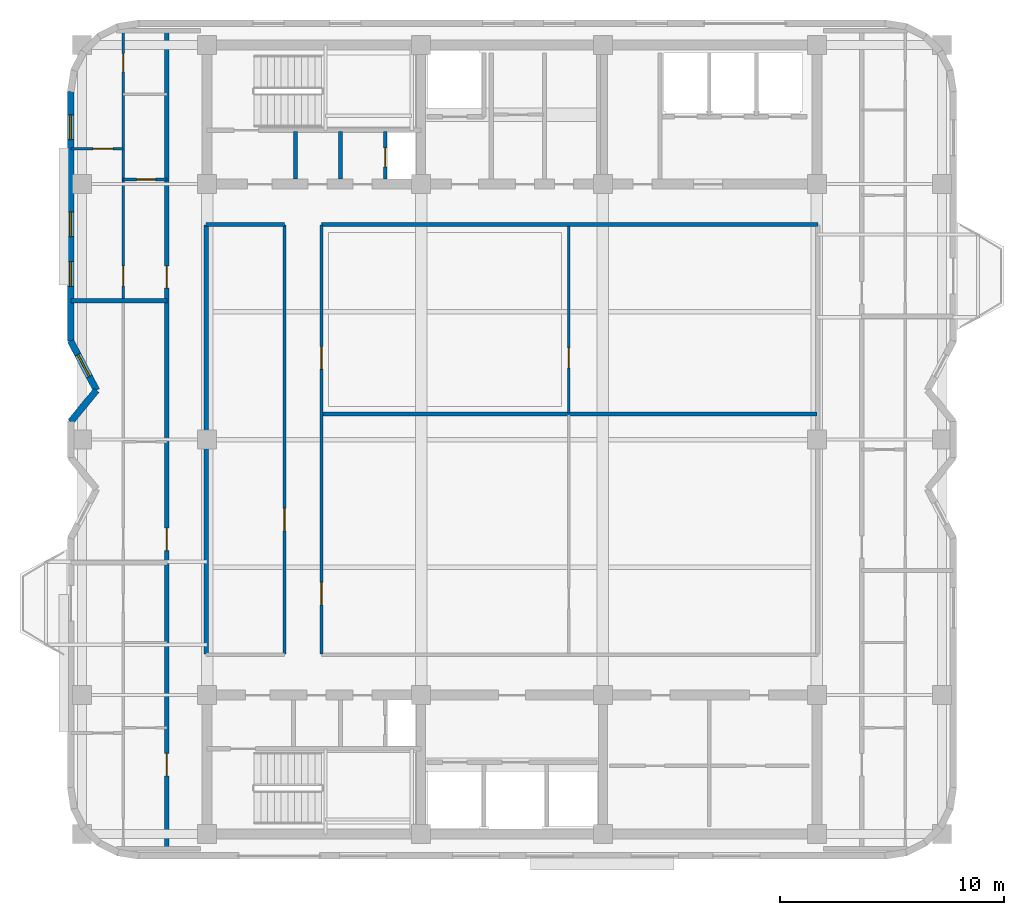
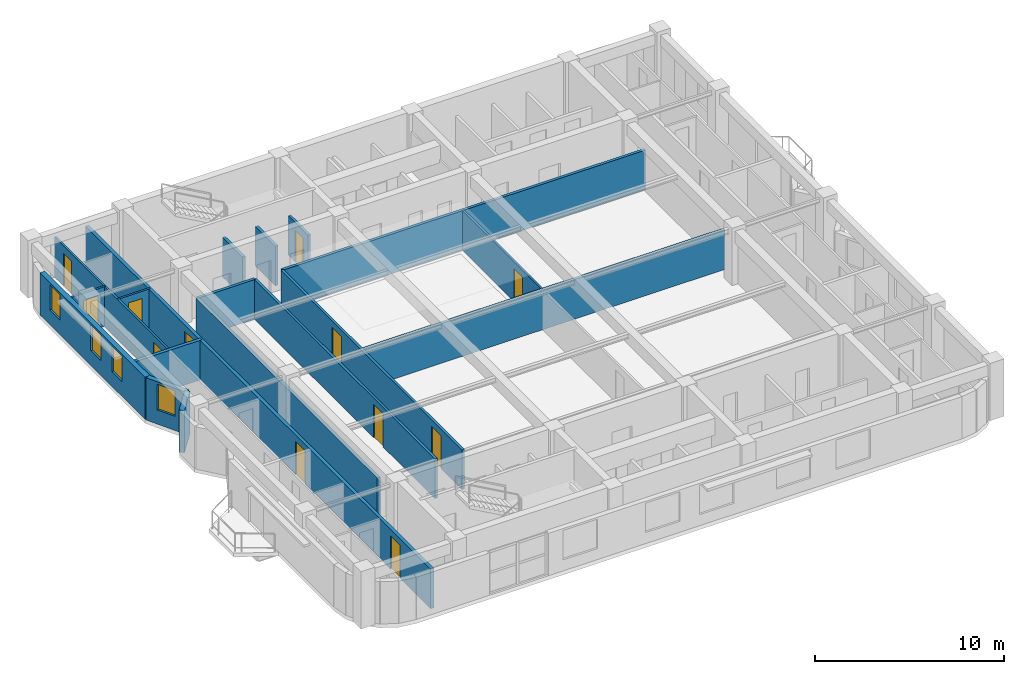
# One storey, part 7 of 12: 18 walls, 12 doors, 4 windows, 16 openings.
"""IFC4 building model written with IfcOpenShell, lengths in metres."""

from ifc_helpers import new_model, si_unit, direction, frame, frame_2d, origin, place, context, subcontext, project, spatial, rectangle, extrude, material, layer, layer_set, type_object, element, fill, save


model = new_model("IFC4")

# Units and contexts
model_context = context("Model", 3, precision=1e-05, world=origin(), true_north=direction((0.0, 1.0)))
body_context = subcontext(model_context, "Body", "Model", "MODEL_VIEW")
ifc_project = project(units=[si_unit("LENGTHUNIT", "METRE"), si_unit("AREAUNIT", "SQUARE_METRE"), si_unit("VOLUMEUNIT", "CUBIC_METRE"), si_unit("PLANEANGLEUNIT", "RADIAN"), si_unit("MASSUNIT", "GRAM", prefix="KILO")], contexts=[model_context])

# Site, building, storey
site_placement = place(None, origin())
site = spatial("IfcSite", under=ifc_project, at=site_placement, CompositionType="ELEMENT")
building_placement = place(site_placement, origin())
building = spatial("IfcBuilding", under=site, at=building_placement, Name="Svetorya Sky Lyceum", CompositionType="ELEMENT")
storey_placement = place(building_placement, frame((0.0, 0.0, 236.89990234375)))
storey = spatial("IfcBuildingStorey", under=building, at=storey_placement, Name="L59", CompositionType="ELEMENT", Elevation=236.89990234375)

# Wall, openings, windows
ifc_material_1 = material(Name="Putilovo limestone rainscreen on autoclaved cellular masonry", Category="masonry")
ifc_layer_1 = layer(ifc_material_1, 0.300048828125)
ifc_layer_set_1 = layer_set([ifc_layer_1], Name="Putilovo limestone rainscreen on autoclaved cellular masonry")
wall_type_1 = type_object("IfcWallType", Name="WL-EXT-300", PredefinedType="SOLIDWALL", material=ifc_layer_set_1)
wall_1_placement = place(storey_placement, frame((19.510009765625, 43.719970703125, 0.0), z_axis=(0.0, 0.0, 1.0), x_axis=(0.0, -1.0, 0.0)))
wall_1 = element("IfcWall", 1, at=wall_1_placement, inside=storey, type_object=wall_type_1, Name="L59 Limestone Exterior Wall 30M", PredefinedType="SOLIDWALL", context=body_context, shape_type="SweptSolid", body=[
    extrude(rectangle(XDim=11.119873046875, YDim=0.300048828125, at=frame_2d((5.56005859375, 0.0))), origin(), (0.0, 0.0, 1.0), 2.72998046875),
])
opening_1_placement = place(wall_1_placement, frame((1.03662109375, 0.0, 0.949951171875)))
opening_1 = element("IfcOpeningElement", 2, at=opening_1_placement, cuts=wall_1, Name="Opening W-R3", PredefinedType="OPENING", context=body_context, shape_type="SweptSolid", body=[
    extrude(rectangle(XDim=1.10009765625, YDim=1.64990234375, at=frame_2d((0.550048828125, 0.824951171875))), frame((0.0, 0.159912109375, 0.0), z_axis=(0.0, -1.0, 0.0), x_axis=(1.0, 0.0, 0.0)), (0.0, 0.0, 1.0), 0.320068359375),
])
opening_2_placement = place(wall_1_placement, frame((5.360107421875, 0.0, 0.949951171875)))
opening_2 = element("IfcOpeningElement", 3, at=opening_2_placement, cuts=wall_1, Name="Opening W-R3", PredefinedType="OPENING", context=body_context, shape_type="SweptSolid", body=[
    extrude(rectangle(XDim=1.10009765625, YDim=1.64990234375, at=frame_2d((0.550048828125, 0.824951171875))), frame((0.0, 0.159912109375, 0.0), z_axis=(0.0, -1.0, 0.0), x_axis=(1.0, 0.0, 0.0)), (0.0, 0.0, 1.0), 0.320068359375),
])
opening_3_placement = place(wall_1_placement, frame((7.583251953125, 0.0, 0.949951171875)))
opening_3 = element("IfcOpeningElement", 4, at=opening_3_placement, cuts=wall_1, Name="Opening W-R3", PredefinedType="OPENING", context=body_context, shape_type="SweptSolid", body=[
    extrude(rectangle(XDim=1.10009765625, YDim=1.64990234375, at=frame_2d((0.550048828125, 0.824951171875))), frame((0.0, 0.159912109375, 0.0), z_axis=(0.0, -1.0, 0.0), x_axis=(1.0, 0.0, 0.0)), (0.0, 0.0, 1.0), 0.320068359375),
])
ifc_material_2 = material(Name="Thermally broken aluminium frame with triple low-E glazing", Category="aluminium")
window_type = type_object("IfcWindowType", Name="WN-RES-110", PartitioningType="SINGLE_PANEL", PredefinedType="WINDOW", material=ifc_material_2)
window_1_placement = place(opening_1_placement, origin())
window_1 = element("IfcWindow", 5, at=window_1_placement, inside=storey, type_object=window_type, Name="L59 Facade Window W-R3.30M.1", OverallHeight=1.64990234375, OverallWidth=1.10009765625, PartitioningType="SINGLE_PANEL", PredefinedType="WINDOW", context=body_context, shape_type="SweptSolid", body=[
    extrude(rectangle(XDim=1.10009765625, YDim=1.64990234375, at=frame_2d((0.550048828125, 0.824951171875))), frame((0.0, 0.030029296875, 0.0), z_axis=(0.0, -1.0, 0.0), x_axis=(1.0, 0.0, 0.0)), (0.0, 0.0, 1.0), 0.06005859375),
])
fill(opening_1, window_1)
window_2_placement = place(opening_2_placement, origin())
window_2 = element("IfcWindow", 6, at=window_2_placement, inside=storey, type_object=window_type, Name="L59 Facade Window W-R3.30M.2", OverallHeight=1.64990234375, OverallWidth=1.10009765625, PartitioningType="SINGLE_PANEL", PredefinedType="WINDOW", context=body_context, shape_type="SweptSolid", body=[
    extrude(rectangle(XDim=1.10009765625, YDim=1.64990234375, at=frame_2d((0.550048828125, 0.824951171875))), frame((0.0, 0.030029296875, 0.0), z_axis=(0.0, -1.0, 0.0), x_axis=(1.0, 0.0, 0.0)), (0.0, 0.0, 1.0), 0.06005859375),
])
fill(opening_2, window_2)
window_3_placement = place(opening_3_placement, origin())
window_3 = element("IfcWindow", 7, at=window_3_placement, inside=storey, type_object=window_type, Name="L59 Facade Window W-R3.30M.3", OverallHeight=1.64990234375, OverallWidth=1.10009765625, PartitioningType="SINGLE_PANEL", PredefinedType="WINDOW", context=body_context, shape_type="SweptSolid", body=[
    extrude(rectangle(XDim=1.10009765625, YDim=1.64990234375, at=frame_2d((0.550048828125, 0.824951171875))), frame((0.0, 0.030029296875, 0.0), z_axis=(0.0, -1.0, 0.0), x_axis=(1.0, 0.0, 0.0)), (0.0, 0.0, 1.0), 0.06005859375),
])
fill(opening_3, window_3)

# Wall, opening, window
wall_2_placement = place(storey_placement, frame((19.510009765625, 32.60009765625, 0.0), z_axis=(0.0, 0.0, 1.0), x_axis=(0.463191013929, -0.88625847506, 0.0)))
wall_2 = element("IfcWall", 8, at=wall_2_placement, inside=storey, type_object=wall_type_1, Name="L59 Limestone Exterior Wall 31M", PredefinedType="SOLIDWALL", context=body_context, shape_type="SweptSolid", body=[
    extrude(rectangle(XDim=2.482666015625, YDim=0.300048828125, at=frame_2d((1.2412109375, 0.0))), origin(), (0.0, 0.0, 1.0), 2.72998046875),
])
opening_4_placement = place(wall_2_placement, frame((0.691162109375, 0.0, 0.919921875)))
opening_4 = element("IfcOpeningElement", 9, at=opening_4_placement, cuts=wall_2, Name="Opening W-R3", PredefinedType="OPENING", context=body_context, shape_type="SweptSolid", body=[
    extrude(rectangle(XDim=1.10009765625, YDim=1.64990234375, at=frame_2d((0.550048828125, 0.824951171875))), frame((0.0, 0.159912109375, 0.0), z_axis=(0.0, -1.0, 0.0), x_axis=(1.0, 0.0, 0.0)), (0.0, 0.0, 1.0), 0.320068359375),
])
window_4_placement = place(opening_4_placement, origin())
window_4 = element("IfcWindow", 10, at=window_4_placement, inside=storey, type_object=window_type, Name="L59 Facade Window W-R3.31M.1", OverallHeight=1.64990234375, OverallWidth=1.10009765625, PartitioningType="SINGLE_PANEL", PredefinedType="WINDOW", context=body_context, shape_type="SweptSolid", body=[
    extrude(rectangle(XDim=1.10009765625, YDim=1.64990234375, at=frame_2d((0.550048828125, 0.824951171875))), frame((0.0, 0.030029296875, 0.0), z_axis=(0.0, -1.0, 0.0), x_axis=(1.0, 0.0, 0.0)), (0.0, 0.0, 1.0), 0.06005859375),
])
fill(opening_4, window_4)

# Wall
wall_3_placement = place(storey_placement, frame((20.659912109375, 30.39990234375, 0.0), z_axis=(0.0, 0.0, 1.0), x_axis=(-0.634733675645, -0.772730975827, 0.0)))
element("IfcWall", 11, at=wall_3_placement, inside=storey, type_object=wall_type_1, Name="L59 Limestone Exterior Wall 32M", PredefinedType="SOLIDWALL", context=body_context, shape_type="SweptSolid", body=[
    extrude(rectangle(XDim=1.8115234375, YDim=0.300048828125, at=frame_2d((0.90576171875, 0.0))), origin(), (0.0, 0.0, 1.0), 2.72998046875),
])

# Wall, opening, door
ifc_material_3 = material(Name="Twin-stud galvanized framing with double fireboard", Category="gypsum")
ifc_layer_2 = layer(ifc_material_3, 0.1201171875)
ifc_layer_set_2 = layer_set([ifc_layer_2], Name="Twin-stud galvanized framing with double fireboard")
wall_type_2 = type_object("IfcWallType", Name="WL-PART-120", PredefinedType="PARTITIONING", material=ifc_layer_set_2)
wall_4_placement = place(storey_placement, frame((41.735107421875, 29.388427734375, 0.0), z_axis=(0.0, 0.0, 1.0), x_axis=(0.0, 1.0, 0.0)))
wall_4 = element("IfcWall", 12, at=wall_4_placement, inside=storey, type_object=wall_type_2, Name="L59 Interior Partition OFF-VEM2", PredefinedType="PARTITIONING", context=body_context, shape_type="SweptSolid", body=[
    extrude(rectangle(XDim=8.3515625, YDim=0.1201171875, at=frame_2d((4.17578125, 0.0))), origin(), (0.0, 0.0, 1.0), 2.56005859375),
])
opening_5_placement = place(wall_4_placement, frame((2.0, 0.0, 0.0)))
opening_5 = element("IfcOpeningElement", 13, at=opening_5_placement, cuts=wall_4, Name="Opening D-RM1", PredefinedType="OPENING", context=body_context, shape_type="SweptSolid", body=[
    extrude(rectangle(XDim=0.89990234375, YDim=2.10009765625, at=frame_2d((0.449951171875, 1.050048828125))), frame((0.0, 0.070068359375, 0.0), z_axis=(0.0, -1.0, 0.0), x_axis=(1.0, 0.0, 0.0)), (0.0, 0.0, 1.0), 0.14013671875),
])
ifc_material_4 = material(Name="Lacquered birch veneer internal door")
door_type_1 = type_object("IfcDoorType", Name="DR-INT-900", OperationType="SINGLE_SWING_LEFT", PredefinedType="DOOR", material=ifc_material_4)
door_1_placement = place(opening_5_placement, origin())
door_1 = element("IfcDoor", 14, at=door_1_placement, inside=storey, type_object=door_type_1, Name="L59 East Focus Door", OperationType="SINGLE_SWING_RIGHT", OverallHeight=2.10009765625, OverallWidth=0.89990234375, PredefinedType="DOOR", context=body_context, shape_type="SweptSolid", body=[
    extrude(rectangle(XDim=0.89990234375, YDim=2.10009765625, at=frame_2d((0.449951171875, 1.050048828125))), frame((0.0, 0.02490234375, 0.0), z_axis=(0.0, -1.0, 0.0), x_axis=(1.0, 0.0, 0.0)), (0.0, 0.0, 1.0), 0.050048828125),
])
fill(opening_5, door_1)

wall_5_placement = place(storey_placement, frame((21.85009765625, 39.804931640625, 0.0), z_axis=(0.0, 0.0, 1.0), x_axis=(1.0, 0.0, 0.0)))
wall_5 = element("IfcWall", 15, at=wall_5_placement, inside=storey, type_object=wall_type_2, Name="L59 Interior Partition W3-WH1", PredefinedType="PARTITIONING", context=body_context, shape_type="SweptSolid", body=[
    extrude(rectangle(XDim=1.949951171875, YDim=0.1201171875, at=frame_2d((0.97509765625, 0.0))), origin(), (0.0, 0.0, 1.0), 2.56005859375),
])
opening_6_placement = place(wall_5_placement, frame((0.60009765625, 0.0, 0.0)))
opening_6 = element("IfcOpeningElement", 16, at=opening_6_placement, cuts=wall_5, Name="Opening D-BT1", PredefinedType="OPENING", context=body_context, shape_type="SweptSolid", body=[
    extrude(rectangle(XDim=0.85009765625, YDim=2.10009765625, at=frame_2d((0.425048828125, 1.050048828125))), frame((0.0, 0.070068359375, 0.0), z_axis=(0.0, -1.0, 0.0), x_axis=(1.0, 0.0, 0.0)), (0.0, 0.0, 1.0), 0.14013671875),
])
ifc_material_5 = material(Name="Moisture-resistant laminate bathroom door")
door_type_2 = type_object("IfcDoorType", Name="DR-WET-850", OperationType="SINGLE_SWING_LEFT", PredefinedType="DOOR", material=ifc_material_5)
door_2_placement = place(opening_6_placement, origin())
door_2 = element("IfcDoor", 17, at=door_2_placement, inside=storey, type_object=door_type_2, Name="Apartment W3 Bathroom Door", OperationType="SINGLE_SWING_LEFT", OverallHeight=2.10009765625, OverallWidth=0.85009765625, PredefinedType="DOOR", context=body_context, shape_type="SweptSolid", body=[
    extrude(rectangle(XDim=0.85009765625, YDim=2.10009765625, at=frame_2d((0.425048828125, 1.050048828125))), frame((0.0, 0.02490234375, 0.0), z_axis=(0.0, -1.0, 0.0), x_axis=(1.0, 0.0, 0.0)), (0.0, 0.0, 1.0), 0.050048828125),
])
fill(opening_6, door_2)

wall_6_placement = place(storey_placement, frame((19.530029296875, 41.169921875, 0.0), z_axis=(0.0, 0.0, 1.0), x_axis=(1.0, 0.0, 0.0)))
wall_6 = element("IfcWall", 18, at=wall_6_placement, inside=storey, type_object=wall_type_2, Name="L59 Interior Partition W3-WL1", PredefinedType="PARTITIONING", context=body_context, shape_type="SweptSolid", body=[
    extrude(rectangle(XDim=2.320068359375, YDim=0.1201171875, at=frame_2d((1.16015625, 0.0))), origin(), (0.0, 0.0, 1.0), 2.56005859375),
])
opening_7_placement = place(wall_6_placement, frame((0.969970703125, 0.0, 0.0)))
opening_7 = element("IfcOpeningElement", 19, at=opening_7_placement, cuts=wall_6, Name="Opening D-RM1", PredefinedType="OPENING", context=body_context, shape_type="SweptSolid", body=[
    extrude(rectangle(XDim=0.89990234375, YDim=2.10009765625, at=frame_2d((0.449951171875, 1.050048828125))), frame((0.0, 0.070068359375, 0.0), z_axis=(0.0, -1.0, 0.0), x_axis=(1.0, 0.0, 0.0)), (0.0, 0.0, 1.0), 0.14013671875),
])
door_3_placement = place(opening_7_placement, origin())
door_3 = element("IfcDoor", 20, at=door_3_placement, inside=storey, type_object=door_type_1, Name="Apartment W3 Bedroom 1 Door", OperationType="SINGLE_SWING_LEFT", OverallHeight=2.10009765625, OverallWidth=0.89990234375, PredefinedType="DOOR", context=body_context, shape_type="SweptSolid", body=[
    extrude(rectangle(XDim=0.89990234375, YDim=2.10009765625, at=frame_2d((0.449951171875, 1.050048828125))), frame((0.0, 0.02490234375, 0.0), z_axis=(0.0, -1.0, 0.0), x_axis=(1.0, 0.0, 0.0)), (0.0, 0.0, 1.0), 0.050048828125),
])
fill(opening_7, door_3)

# Wall, openings, doors
wall_7_placement = place(storey_placement, frame((21.85009765625, 34.445068359375, 0.0), z_axis=(0.0, 0.0, 1.0), x_axis=(0.0, 1.0, 0.0)))
wall_7 = element("IfcWall", 21, at=wall_7_placement, inside=storey, type_object=wall_type_2, Name="L59 Interior Partition W3-WV", PredefinedType="PARTITIONING", context=body_context, shape_type="SweptSolid", body=[
    extrude(rectangle(XDim=11.96484375, YDim=0.1201171875, at=frame_2d((5.982421875, 0.0))), origin(), (0.0, 0.0, 1.0), 2.56005859375),
])
opening_8_placement = place(wall_7_placement, frame((0.610107421875, 0.0, 0.0)))
opening_8 = element("IfcOpeningElement", 22, at=opening_8_placement, cuts=wall_7, Name="Opening D-RM1", PredefinedType="OPENING", context=body_context, shape_type="SweptSolid", body=[
    extrude(rectangle(XDim=0.89990234375, YDim=2.10009765625, at=frame_2d((0.449951171875, 1.050048828125))), frame((0.0, 0.070068359375, 0.0), z_axis=(0.0, -1.0, 0.0), x_axis=(1.0, 0.0, 0.0)), (0.0, 0.0, 1.0), 0.14013671875),
])
opening_9_placement = place(wall_7_placement, frame((10.157470703125, 0.0, 0.0)))
opening_9 = element("IfcOpeningElement", 23, at=opening_9_placement, cuts=wall_7, Name="Opening D-BT2", PredefinedType="OPENING", context=body_context, shape_type="SweptSolid", body=[
    extrude(rectangle(XDim=0.820068359375, YDim=2.080078125, at=frame_2d((0.41015625, 1.0400390625))), frame((0.0, 0.070068359375, 0.0), z_axis=(0.0, -1.0, 0.0), x_axis=(1.0, 0.0, 0.0)), (0.0, 0.0, 1.0), 0.14013671875),
])
door_4_placement = place(opening_8_placement, origin())
door_4 = element("IfcDoor", 24, at=door_4_placement, inside=storey, type_object=door_type_1, Name="Apartment W3 Living Door", OperationType="SINGLE_SWING_RIGHT", OverallHeight=2.10009765625, OverallWidth=0.89990234375, PredefinedType="DOOR", context=body_context, shape_type="SweptSolid", body=[
    extrude(rectangle(XDim=0.89990234375, YDim=2.10009765625, at=frame_2d((0.449951171875, 1.050048828125))), frame((0.0, 0.02490234375, 0.0), z_axis=(0.0, -1.0, 0.0), x_axis=(1.0, 0.0, 0.0)), (0.0, 0.0, 1.0), 0.050048828125),
])
fill(opening_8, door_4)
ifc_material_6 = material(Name="Compact moisture-resistant laminate closet door")
door_type_3 = type_object("IfcDoorType", Name="DR-WET-820", OperationType="SINGLE_SWING_LEFT", PredefinedType="DOOR", material=ifc_material_6)
door_5_placement = place(opening_9_placement, origin())
door_5 = element("IfcDoor", 25, at=door_5_placement, inside=storey, type_object=door_type_3, Name="Apartment W3 Study Door", OperationType="SINGLE_SWING_LEFT", OverallHeight=2.080078125, OverallWidth=0.820068359375, PredefinedType="DOOR", context=body_context, shape_type="SweptSolid", body=[
    extrude(rectangle(XDim=0.820068359375, YDim=2.080078125, at=frame_2d((0.41015625, 1.0400390625))), frame((0.0, 0.02490234375, 0.0), z_axis=(0.0, -1.0, 0.0), x_axis=(1.0, 0.0, 0.0)), (0.0, 0.0, 1.0), 0.050048828125),
])
fill(opening_9, door_5)

# Wall, opening, door
ifc_material_7 = material(Name="Autoclaved cellular masonry blockwork with acoustic render", Category="masonry")
ifc_layer_3 = layer(ifc_material_7, 0.14990234375)
ifc_layer_set_3 = layer_set([ifc_layer_3], Name="Autoclaved cellular masonry blockwork with acoustic render")
wall_type_3 = type_object("IfcWallType", Name="WL-PART-150", PredefinedType="PARTITIONING", material=ifc_layer_set_3)
wall_8_placement = place(storey_placement, frame((33.550048828125, 39.820068359375, 0.0), z_axis=(0.0, 0.0, 1.0), x_axis=(0.0, 1.0, 0.0)))
wall_8 = element("IfcWall", 26, at=wall_8_placement, inside=storey, type_object=wall_type_3, Name="L59 Interior Partition NC-RSRW", PredefinedType="PARTITIONING", context=body_context, shape_type="SweptSolid", body=[
    extrude(rectangle(XDim=2.1298828125, YDim=0.14990234375, at=frame_2d((1.06494140625, 0.0))), origin(), (0.0, 0.0, 1.0), 2.56005859375),
])
opening_10_placement = place(wall_8_placement, frame((0.550048828125, 0.0, 0.0)))
opening_10 = element("IfcOpeningElement", 27, at=opening_10_placement, cuts=wall_8, Name="Opening D-SH1", PredefinedType="OPENING", context=body_context, shape_type="SweptSolid", body=[
    extrude(rectangle(XDim=0.85009765625, YDim=2.050048828125, at=frame_2d((0.425048828125, 1.02490234375))), frame((0.0, 0.0849609375, 0.0), z_axis=(0.0, -1.0, 0.0), x_axis=(1.0, 0.0, 0.0)), (0.0, 0.0, 1.0), 0.169921875),
])
ifc_material_8 = material(Name="Insulated galvanized riser inspection fire door")
door_type_4 = type_object("IfcDoorType", Name="DR-SHFT-850", OperationType="SINGLE_SWING_LEFT", PredefinedType="TRAPDOOR", material=ifc_material_8)
door_6_placement = place(opening_10_placement, origin())
door_6 = element("IfcDoor", 28, at=door_6_placement, inside=storey, type_object=door_type_4, Name="L59 North Riser Access Door", OperationType="SINGLE_SWING_LEFT", OverallHeight=2.050048828125, OverallWidth=0.85009765625, PredefinedType="TRAPDOOR", context=body_context, shape_type="SweptSolid", body=[
    extrude(rectangle(XDim=0.85009765625, YDim=2.050048828125, at=frame_2d((0.425048828125, 1.02490234375))), frame((0.0, 0.02490234375, 0.0), z_axis=(0.0, -1.0, 0.0), x_axis=(1.0, 0.0, 0.0)), (0.0, 0.0, 1.0), 0.050048828125),
])
fill(opening_10, door_6)

wall_9_placement = place(storey_placement, frame((29.050048828125, 18.6298828125, 0.0), z_axis=(0.0, 0.0, 1.0), x_axis=(0.0, 1.0, 0.0)))
wall_9 = element("IfcWall", 29, at=wall_9_placement, inside=storey, type_object=wall_type_3, Name="L59 Interior Partition OFF-VW", PredefinedType="PARTITIONING", context=body_context, shape_type="SweptSolid", body=[
    extrude(rectangle(XDim=19.14013671875, YDim=0.14990234375, at=frame_2d((9.570068359375, 0.0))), origin(), (0.0, 0.0, 1.0), 2.56005859375),
])
opening_11_placement = place(wall_9_placement, frame((5.5, 0.0, 0.0)))
opening_11 = element("IfcOpeningElement", 30, at=opening_11_placement, cuts=wall_9, Name="Opening D-RM2", PredefinedType="OPENING", context=body_context, shape_type="SweptSolid", body=[
    extrude(rectangle(XDim=1.0, YDim=2.14990234375, at=frame_2d((0.5, 1.074951171875))), frame((0.0, 0.0849609375, 0.0), z_axis=(0.0, -1.0, 0.0), x_axis=(1.0, 0.0, 0.0)), (0.0, 0.0, 1.0), 0.169921875),
])
ifc_material_9 = material(Name="Solid-core oak acoustic room door")
door_type_5 = type_object("IfcDoorType", Name="DR-INT-1000", OperationType="SINGLE_SWING_LEFT", PredefinedType="DOOR", material=ifc_material_9)
door_7_placement = place(opening_11_placement, origin())
door_7 = element("IfcDoor", 31, at=door_7_placement, inside=storey, type_object=door_type_5, Name="L59 West Office Door", OperationType="SINGLE_SWING_LEFT", OverallHeight=2.14990234375, OverallWidth=1.0, PredefinedType="DOOR", context=body_context, shape_type="SweptSolid", body=[
    extrude(rectangle(XDim=1.0, YDim=2.14990234375, at=frame_2d((0.5, 1.074951171875))), frame((0.0, 0.02490234375, 0.0), z_axis=(0.0, -1.0, 0.0), x_axis=(1.0, 0.0, 0.0)), (0.0, 0.0, 1.0), 0.050048828125),
])
fill(opening_11, door_7)

# Wall, openings, doors
wall_10_placement = place(storey_placement, frame((30.699951171875, 18.6298828125, 0.0), z_axis=(0.0, 0.0, 1.0), x_axis=(0.0, 1.0, 0.0)))
wall_10 = element("IfcWall", 32, at=wall_10_placement, inside=storey, type_object=wall_type_3, Name="L59 Interior Partition OFF-VE", PredefinedType="PARTITIONING", context=body_context, shape_type="SweptSolid", body=[
    extrude(rectangle(XDim=19.14013671875, YDim=0.14990234375, at=frame_2d((9.570068359375, 0.0))), origin(), (0.0, 0.0, 1.0), 2.56005859375),
])
opening_12_placement = place(wall_10_placement, frame((2.199951171875, 0.0, 0.0)))
opening_12 = element("IfcOpeningElement", 33, at=opening_12_placement, cuts=wall_10, Name="Opening D-RM2", PredefinedType="OPENING", context=body_context, shape_type="SweptSolid", body=[
    extrude(rectangle(XDim=1.0, YDim=2.14990234375, at=frame_2d((0.5, 1.074951171875))), frame((0.0, 0.0849609375, 0.0), z_axis=(0.0, -1.0, 0.0), x_axis=(1.0, 0.0, 0.0)), (0.0, 0.0, 1.0), 0.169921875),
])
opening_13_placement = place(wall_10_placement, frame((12.718505859375, 0.0, 0.0)))
opening_13 = element("IfcOpeningElement", 34, at=opening_13_placement, cuts=wall_10, Name="Opening D-RM2", PredefinedType="OPENING", context=body_context, shape_type="SweptSolid", body=[
    extrude(rectangle(XDim=1.0, YDim=2.14990234375, at=frame_2d((0.5, 1.074951171875))), frame((0.0, 0.0849609375, 0.0), z_axis=(0.0, -1.0, 0.0), x_axis=(1.0, 0.0, 0.0)), (0.0, 0.0, 1.0), 0.169921875),
])
door_8_placement = place(opening_12_placement, origin())
door_8 = element("IfcDoor", 35, at=door_8_placement, inside=storey, type_object=door_type_5, Name="L59 Meeting Door", OperationType="SINGLE_SWING_RIGHT", OverallHeight=2.14990234375, OverallWidth=1.0, PredefinedType="DOOR", context=body_context, shape_type="SweptSolid", body=[
    extrude(rectangle(XDim=1.0, YDim=2.14990234375, at=frame_2d((0.5, 1.074951171875))), frame((0.0, 0.02490234375, 0.0), z_axis=(0.0, -1.0, 0.0), x_axis=(1.0, 0.0, 0.0)), (0.0, 0.0, 1.0), 0.050048828125),
])
fill(opening_12, door_8)
door_9_placement = place(opening_13_placement, origin())
door_9 = element("IfcDoor", 36, at=door_9_placement, inside=storey, type_object=door_type_5, Name="L59 North Room Door", OperationType="SINGLE_SWING_LEFT", OverallHeight=2.14990234375, OverallWidth=1.0, PredefinedType="DOOR", context=body_context, shape_type="SweptSolid", body=[
    extrude(rectangle(XDim=1.0, YDim=2.14990234375, at=frame_2d((0.5, 1.074951171875))), frame((0.0, 0.02490234375, 0.0), z_axis=(0.0, -1.0, 0.0), x_axis=(1.0, 0.0, 0.0)), (0.0, 0.0, 1.0), 0.050048828125),
])
fill(opening_13, door_9)

# Walls
ifc_material_10 = material(Name="Autoclaved cellular masonry blockwork with fire render", Category="masonry")
ifc_layer_4 = layer(ifc_material_10, 0.175048828125)
ifc_layer_set_4 = layer_set([ifc_layer_4], Name="Autoclaved cellular masonry blockwork with fire render")
wall_type_4 = type_object("IfcWallType", Name="WL-PART-175", PredefinedType="PARTITIONING", material=ifc_layer_set_4)
for number, where, z_axis, x_axis, name in (
    (37, (29.550048828125, 39.820068359375, 0.0), (0.0, 0.0, 1.0), (0.0, 1.0, 0.0), "L59 Interior Partition NC-NWD1"),
    (38, (31.550048828125, 39.820068359375, 0.0), (0.0, 0.0, 1.0), (0.0, 1.0, 0.0), "L59 Interior Partition NC-NWD2"),
):
    element("IfcWall", number, at=place(storey_placement, frame(where, z_axis=z_axis, x_axis=x_axis)), inside=storey, type_object=wall_type_4, Name=name, PredefinedType="PARTITIONING", context=body_context, shape_type="SweptSolid", body=[
        extrude(rectangle(XDim=2.1298828125, YDim=0.175048828125, at=frame_2d((1.06494140625, 0.0))), origin(), (0.0, 0.0, 1.0), 2.56005859375),
    ])
wall_11_placement = place(storey_placement, frame((25.550048828125, 37.800048828125, 0.0), z_axis=(0.0, 0.0, 1.0), x_axis=(1.0, 0.0, 0.0)))
element("IfcWall", 39, at=wall_11_placement, inside=storey, type_object=wall_type_4, Name="L59 Interior Partition OFF-CN-W", PredefinedType="PARTITIONING", context=body_context, shape_type="SweptSolid", body=[
    extrude(rectangle(XDim=3.5, YDim=0.175048828125, at=frame_2d((1.75, 0.0))), origin(), (0.0, 0.0, 1.0), 2.56005859375),
])
wall_12_placement = place(storey_placement, frame((30.699951171875, 37.800048828125, 0.0), z_axis=(0.0, 0.0, 1.0), x_axis=(1.0, 0.0, 0.0)))
element("IfcWall", 40, at=wall_12_placement, inside=storey, type_object=wall_type_4, Name="L59 Interior Partition OFF-CN-E", PredefinedType="PARTITIONING", context=body_context, shape_type="SweptSolid", body=[
    extrude(rectangle(XDim=22.150146484375, YDim=0.175048828125, at=frame_2d((11.0751953125, 0.0))), origin(), (0.0, 0.0, 1.0), 2.56005859375),
])
wall_13_placement = place(storey_placement, frame((30.72998046875, 29.348388671875, 0.0), z_axis=(0.0, 0.0, 1.0), x_axis=(1.0, 0.0, 0.0)))
element("IfcWall", 41, at=wall_13_placement, inside=storey, type_object=wall_type_4, Name="L59 Interior Partition OFF-HE", PredefinedType="PARTITIONING", context=body_context, shape_type="SweptSolid", body=[
    extrude(rectangle(XDim=22.070068359375, YDim=0.175048828125, at=frame_2d((11.03515625, 0.0))), origin(), (0.0, 0.0, 1.0), 2.56005859375),
])
ifc_material_11 = material(Name="Autoclaved cellular masonry blockwork with gypsum plaster", Category="masonry")
ifc_layer_5 = layer(ifc_material_11, 0.199951171875)
ifc_layer_set_5 = layer_set([ifc_layer_5], Name="Autoclaved cellular masonry blockwork with gypsum plaster")
wall_type_5 = type_object("IfcWallType", Name="WL-PART-200", PredefinedType="PARTITIONING", material=ifc_layer_set_5)
wall_14_placement = place(storey_placement, frame((25.550048828125, 18.6298828125, 0.0), z_axis=(0.0, 0.0, 1.0), x_axis=(0.0, 1.0, 0.0)))
element("IfcWall", 42, at=wall_14_placement, inside=storey, type_object=wall_type_5, Name="L59 Interior Partition W-CEN-SEP", PredefinedType="PARTITIONING", context=body_context, shape_type="SweptSolid", body=[
    extrude(rectangle(XDim=19.14013671875, YDim=0.199951171875, at=frame_2d((9.570068359375, 0.0))), origin(), (0.0, 0.0, 1.0), 2.56005859375),
])
wall_15_placement = place(storey_placement, frame((19.530029296875, 34.405029296875, 0.0), z_axis=(0.0, 0.0, 1.0), x_axis=(1.0, 0.0, 0.0)))
element("IfcWall", 43, at=wall_15_placement, inside=storey, type_object=wall_type_5, Name="L59 Interior Partition W-PARTY-2", PredefinedType="PARTITIONING", context=body_context, shape_type="SweptSolid", body=[
    extrude(rectangle(XDim=4.27001953125, YDim=0.199951171875, at=frame_2d((2.135009765625, 0.0))), origin(), (0.0, 0.0, 1.0), 2.56005859375),
])

# Wall, openings, doors
wall_16_placement = place(storey_placement, frame((23.800048828125, 9.949951171875, 0.0), z_axis=(0.0, 0.0, 1.0), x_axis=(0.0, 1.0, 0.0)))
wall_16 = element("IfcWall", 44, at=wall_16_placement, inside=storey, type_object=wall_type_5, Name="L59 Interior Partition W-CORRW", PredefinedType="PARTITIONING", context=body_context, shape_type="SweptSolid", body=[
    extrude(rectangle(XDim=36.5, YDim=0.199951171875, at=frame_2d((18.25, 0.0))), origin(), (0.0, 0.0, 1.0), 2.56005859375),
])
opening_14_placement = place(wall_16_placement, frame((3.25, 0.0, 0.0)))
opening_14 = element("IfcOpeningElement", 45, at=opening_14_placement, cuts=wall_16, Name="Opening D-APT1", PredefinedType="OPENING", context=body_context, shape_type="SweptSolid", body=[
    extrude(rectangle(XDim=1.0, YDim=2.14990234375, at=frame_2d((0.5, 1.074951171875))), frame((0.0, 0.10986328125, 0.0), z_axis=(0.0, -1.0, 0.0), x_axis=(1.0, 0.0, 0.0)), (0.0, 0.0, 1.0), 0.219970703125),
])
opening_15_placement = place(wall_16_placement, frame((13.300048828125, 0.0, 0.0)))
opening_15 = element("IfcOpeningElement", 46, at=opening_15_placement, cuts=wall_16, Name="Opening D-APT1", PredefinedType="OPENING", context=body_context, shape_type="SweptSolid", body=[
    extrude(rectangle(XDim=1.0, YDim=2.14990234375, at=frame_2d((0.5, 1.074951171875))), frame((0.0, 0.10986328125, 0.0), z_axis=(0.0, -1.0, 0.0), x_axis=(1.0, 0.0, 0.0)), (0.0, 0.0, 1.0), 0.219970703125),
])
opening_16_placement = place(wall_16_placement, frame((25.0048828125, 0.0, 0.0)))
opening_16 = element("IfcOpeningElement", 47, at=opening_16_placement, cuts=wall_16, Name="Opening D-APT1", PredefinedType="OPENING", context=body_context, shape_type="SweptSolid", body=[
    extrude(rectangle(XDim=1.0, YDim=2.14990234375, at=frame_2d((0.5, 1.074951171875))), frame((0.0, 0.10986328125, 0.0), z_axis=(0.0, -1.0, 0.0), x_axis=(1.0, 0.0, 0.0)), (0.0, 0.0, 1.0), 0.219970703125),
])
ifc_material_12 = material(Name="Insulated oak-veneered apartment entrance door")
door_type_6 = type_object("IfcDoorType", Name="DR-APT-1000", OperationType="SINGLE_SWING_LEFT", PredefinedType="DOOR", material=ifc_material_12)
door_10_placement = place(opening_14_placement, origin())
door_10 = element("IfcDoor", 48, at=door_10_placement, inside=storey, type_object=door_type_6, Name="L59 Apartment W1 Entrance Door", OperationType="SINGLE_SWING_LEFT", OverallHeight=2.14990234375, OverallWidth=1.0, PredefinedType="DOOR", context=body_context, shape_type="SweptSolid", body=[
    extrude(rectangle(XDim=1.0, YDim=2.14990234375, at=frame_2d((0.5, 1.074951171875))), frame((0.0, 0.02490234375, 0.0), z_axis=(0.0, -1.0, 0.0), x_axis=(1.0, 0.0, 0.0)), (0.0, 0.0, 1.0), 0.050048828125),
])
fill(opening_14, door_10)
door_11_placement = place(opening_15_placement, origin())
door_11 = element("IfcDoor", 49, at=door_11_placement, inside=storey, type_object=door_type_6, Name="L59 Apartment W2 Entrance Door", OperationType="SINGLE_SWING_RIGHT", OverallHeight=2.14990234375, OverallWidth=1.0, PredefinedType="DOOR", context=body_context, shape_type="SweptSolid", body=[
    extrude(rectangle(XDim=1.0, YDim=2.14990234375, at=frame_2d((0.5, 1.074951171875))), frame((0.0, 0.02490234375, 0.0), z_axis=(0.0, -1.0, 0.0), x_axis=(1.0, 0.0, 0.0)), (0.0, 0.0, 1.0), 0.050048828125),
])
fill(opening_15, door_11)
door_12_placement = place(opening_16_placement, origin())
door_12 = element("IfcDoor", 50, at=door_12_placement, inside=storey, type_object=door_type_6, Name="L59 Apartment W3 Entrance Door", OperationType="SINGLE_SWING_LEFT", OverallHeight=2.14990234375, OverallWidth=1.0, PredefinedType="DOOR", context=body_context, shape_type="SweptSolid", body=[
    extrude(rectangle(XDim=1.0, YDim=2.14990234375, at=frame_2d((0.5, 1.074951171875))), frame((0.0, 0.02490234375, 0.0), z_axis=(0.0, -1.0, 0.0), x_axis=(1.0, 0.0, 0.0)), (0.0, 0.0, 1.0), 0.050048828125),
])
fill(opening_16, door_12)

save(model, "model.ifc")
